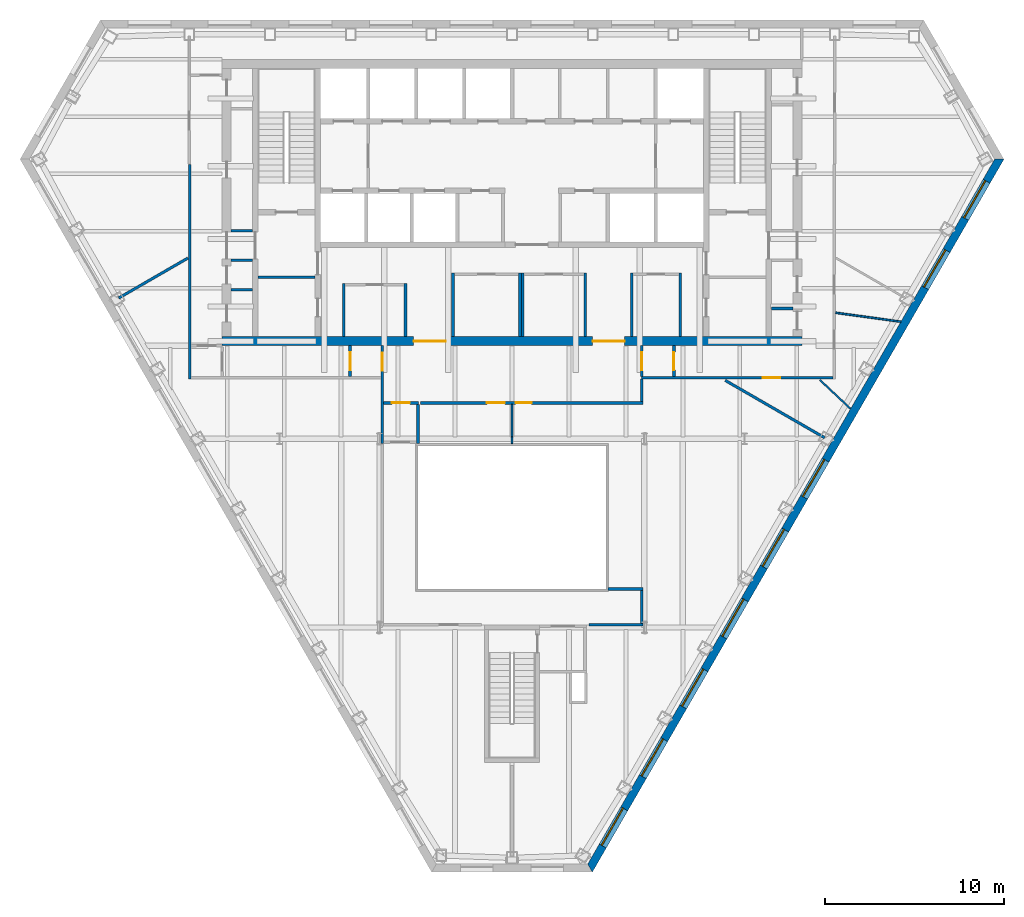
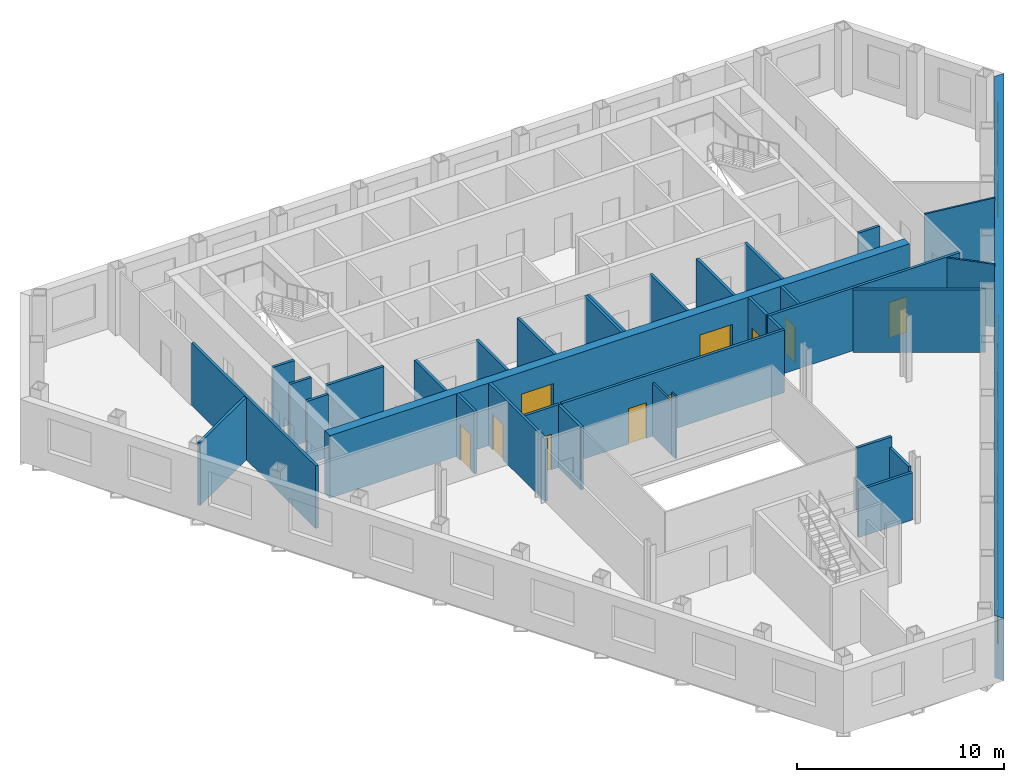
# One storey, part 5 of 11: 34 walls, 10 doors, 8 windows, 18 openings.
"""IFC4 building model written with IfcOpenShell, lengths in metres."""

import ifcopenshell
import ifcopenshell.guid

model = None  # the IFC model being written
_history = None  # IfcOwnerHistory: only IFC2X3 demands one
_inside = {}  # id of a spatial element -> (the spatial element, [elements in it])
_under = {}  # id of a project, library or spatial element -> (it, [spatial elements below it])
_declared = {}  # id of a project -> (the project, [libraries it declares])
_typed = {}  # id of a type object -> (the type object, [elements of that type])
_made_of = {}  # id of a material, layer set ... -> (it, [elements and type objects made of it])


def new_model(schema):
    """Start an empty IFC model of exactly this schema.

    Asked for "IFC4X3", IfcOpenShell would pick the latest addendum, in which some entities
    have other attributes; the version numbers below select the first issue.
    IFC2X3 requires an IfcOwnerHistory on every rooted entity: one is made here for all.
    """
    global model, _history
    if schema == "IFC4X3":
        model = ifcopenshell.file(schema_version=(4, 3, 0, 0))
    else:
        model = ifcopenshell.file(schema=schema)
    _inside.clear()
    _under.clear()
    _declared.clear()
    _typed.clear()
    _made_of.clear()
    _history = None
    if model.schema == "IFC2X3":
        org = make("IfcOrganization", Name="unknown")
        user = make(
            "IfcPersonAndOrganization",
            ThePerson=make("IfcPerson", FamilyName="unknown"),
            TheOrganization=org,
        )
        app = make(
            "IfcApplication",
            ApplicationDeveloper=org,
            Version="unknown",
            ApplicationFullName="unknown",
            ApplicationIdentifier="unknown",
        )
        _history = make(
            "IfcOwnerHistory",
            OwningUser=user,
            OwningApplication=app,
            ChangeAction="ADDED",
            CreationDate=0,
        )
    return model


def make(cls, **values):
    """One entity of the class cls with the attributes given. An attribute that is None is left unset."""
    return model.create_entity(
        cls, **{name: value for name, value in values.items() if value is not None}
    )


def rooted(cls, **values):
    """An entity with a GlobalId (a new one), such as an element, a storey or a relation."""
    return make(cls, GlobalId=ifcopenshell.guid.new(), OwnerHistory=_history, **values)


def si_unit(unit_type, name, prefix=None):
    """IfcSIUnit, for example si_unit("LENGTHUNIT", "METRE", prefix="MILLI")."""
    return make("IfcSIUnit", UnitType=unit_type, Prefix=prefix, Name=name)


def assignment(units):
    """IfcUnitAssignment: the units of a project."""
    return None if units is None else make("IfcUnitAssignment", Units=units)


def point(xyz):
    """IfcCartesianPoint."""
    return None if xyz is None else make("IfcCartesianPoint", Coordinates=xyz)


def direction(xyz):
    """IfcDirection."""
    return None if xyz is None else make("IfcDirection", DirectionRatios=xyz)


def frame(location, z_axis=None, x_axis=None):
    """IfcAxis2Placement3D, a coordinate frame: its origin and axes. An axis left out is left unset."""
    return make(
        "IfcAxis2Placement3D",
        Location=point(location),
        Axis=direction(z_axis),
        RefDirection=direction(x_axis),
    )


def frame_2d(location, x_axis=None):
    """IfcAxis2Placement2D, a coordinate frame in the plane: its origin and x axis."""
    return make(
        "IfcAxis2Placement2D", Location=point(location), RefDirection=direction(x_axis)
    )


def origin():
    """The frame at (0, 0, 0) with its axes left unset."""
    return frame((0.0, 0.0, 0.0))


def place(relative_to, where):
    """IfcLocalPlacement: puts the frame where relative to a parent placement (None: the world)."""
    return make(
        "IfcLocalPlacement", PlacementRelTo=relative_to, RelativePlacement=where
    )


def context(
    kind, dimensions, precision=None, world=None, true_north=None, identifier=None
):
    """IfcGeometricRepresentationContext, for example the 3D "Model" context."""
    return make(
        "IfcGeometricRepresentationContext",
        ContextIdentifier=identifier,
        ContextType=kind,
        CoordinateSpaceDimension=dimensions,
        Precision=precision,
        WorldCoordinateSystem=world,
        TrueNorth=true_north,
    )


def subcontext(parent, identifier, kind, view, scale=None):
    """IfcGeometricRepresentationSubContext, for example "Body" below "Model"."""
    return make(
        "IfcGeometricRepresentationSubContext",
        ContextIdentifier=identifier,
        ContextType=kind,
        ParentContext=parent,
        TargetScale=scale,
        TargetView=view,
    )


def project(units=None, contexts=None):
    """IfcProject with its units and contexts."""
    return rooted(
        "IfcProject",
        Name="project",
        RepresentationContexts=contexts,
        UnitsInContext=assignment(units),
    )


def spatial(cls, under=None, at=None, **own):
    """A site, building, storey or space (cls), placed at a placement, below another one or the project."""
    s = rooted(cls, ObjectPlacement=at, **own)
    if under is not None:
        _under.setdefault(under.id(), (under, []))[1].append(s)
    return s


def polyline(points):
    """IfcPolyline through the points."""
    return make("IfcPolyline", Points=[point(p) for p in points])


def profile(cls, at=None, kind="AREA", **sizes):
    """A parametric profile (cls). Its sizes go by their IFC names, for example OverallWidth=200.0."""
    return make(cls, ProfileType=kind, Position=at, **sizes)


def rectangle(**sizes):
    """IfcRectangleProfileDef."""
    return profile("IfcRectangleProfileDef", **sizes)


def outline(outer, holes=None, kind="AREA"):
    """IfcArbitraryClosedProfileDef: a profile drawn as a closed curve; with holes, ...WithVoids."""
    if holes is None:
        return make("IfcArbitraryClosedProfileDef", ProfileType=kind, OuterCurve=outer)
    return make(
        "IfcArbitraryProfileDefWithVoids",
        ProfileType=kind,
        OuterCurve=outer,
        InnerCurves=holes,
    )


def extrude(swept, where, along, depth):
    """IfcExtrudedAreaSolid: the profile swept, set in the frame where, extruded along a direction by depth."""
    return make(
        "IfcExtrudedAreaSolid",
        SweptArea=swept,
        Position=where,
        ExtrudedDirection=direction(along),
        Depth=depth,
    )


def shape(context_of_items, identifier, shape_type, items):
    """IfcShapeRepresentation: the items that make up one representation, for example the "Body"."""
    return make(
        "IfcShapeRepresentation",
        ContextOfItems=context_of_items,
        RepresentationIdentifier=identifier,
        RepresentationType=shape_type,
        Items=items,
    )


def material(Name=None, Category=None):
    """IfcMaterial."""
    return make("IfcMaterial", Name=Name, Category=Category)


def layer(
    of_material, thickness, ventilated=None, Name=None, Category=None, Priority=None
):
    """IfcMaterialLayer: one layer of a wall or slab, of a material (None: an air gap)."""
    return make(
        "IfcMaterialLayer",
        Material=of_material,
        LayerThickness=thickness,
        IsVentilated=ventilated,
        Name=Name,
        Category=Category,
        Priority=Priority,
    )


def layer_set(layers, Name=None):
    """IfcMaterialLayerSet."""
    return make("IfcMaterialLayerSet", MaterialLayers=layers, LayerSetName=Name)


def made_of(thing, what):
    """Note that an element or type object is made of a material, layer set ...; save() writes the relation."""
    if what is not None:
        _made_of.setdefault(what.id(), (what, []))[1].append(thing)
    return thing


def type_object(cls, material=None, **own):
    """A type object (cls), such as IfcWallType, which elements share."""
    return made_of(rooted(cls, **own), material)


def element(
    cls,
    number,
    at=None,
    inside=None,
    cuts=None,
    type_object=None,
    material=None,
    context=None,
    identifier="Body",
    shape_type=None,
    held_by="IfcProductDefinitionShape",
    body=None,
    shapes=None,
    **own,
):
    """One element of the class cls, such as IfcWall. Its Tag is "e" and its number.

    at: its placement. inside: the storey or other place that contains it. cuts: it is an
    opening in that element (IfcRelVoidsElement). A single representation is given by context,
    identifier, shape_type and body (its items); several are given by shapes. held_by: the class
    of the entity that holds the representations. save() writes the other relations.
    """
    e = rooted(cls, Tag="e%d" % number, ObjectPlacement=at, **own)
    if body is not None:
        shapes = [shape(context, identifier, shape_type, body)]
    if shapes is not None:
        e.Representation = make(held_by, Representations=shapes)
    if inside is not None:
        _inside.setdefault(inside.id(), (inside, []))[1].append(e)
    if cuts is not None:
        rooted(
            "IfcRelVoidsElement", RelatingBuildingElement=cuts, RelatedOpeningElement=e
        )
    if type_object is not None:
        _typed.setdefault(type_object.id(), (type_object, []))[1].append(e)
    return made_of(e, material)


def fill(opening, filler):
    """IfcRelFillsElement: the door or window that sits in an opening."""
    return rooted(
        "IfcRelFillsElement",
        RelatingOpeningElement=opening,
        RelatedBuildingElement=filler,
    )


def aggregate(whole, parts):
    """IfcRelAggregates: a whole, such as a stair, and the parts it consists of."""
    return rooted("IfcRelAggregates", RelatingObject=whole, RelatedObjects=parts)


def save(model, path):
    """Write the relations noted so far, then the file.

    IfcRelAggregates (storeys below a building ...), IfcRelContainedInSpatialStructure (elements
    in a storey), IfcRelDefinesByType, IfcRelAssociatesMaterial and IfcRelDeclares: one each for
    every whole, place, type object, material and project.
    """
    for whole, parts in _under.values():
        aggregate(whole, parts)
    for where, things in _inside.values():
        rooted(
            "IfcRelContainedInSpatialStructure",
            RelatedElements=things,
            RelatingStructure=where,
        )
    for kind, things in _typed.values():
        rooted("IfcRelDefinesByType", RelatedObjects=things, RelatingType=kind)
    for what, things in _made_of.values():
        rooted("IfcRelAssociatesMaterial", RelatedObjects=things, RelatingMaterial=what)
    for by, libraries in _declared.values():
        rooted("IfcRelDeclares", RelatingContext=by, RelatedDefinitions=libraries)
    model.write(path)


model = new_model("IFC4")

# Units and contexts
model_context = context("Model", 3, precision=1e-05, world=origin(), true_north=direction((0.0, 1.0)))
body_context = subcontext(model_context, "Body", "Model", "MODEL_VIEW")
ifc_project = project(units=[si_unit("LENGTHUNIT", "METRE"), si_unit("AREAUNIT", "SQUARE_METRE"), si_unit("VOLUMEUNIT", "CUBIC_METRE"), si_unit("PLANEANGLEUNIT", "RADIAN"), si_unit("MASSUNIT", "GRAM", prefix="KILO")], contexts=[model_context])

# Site, building, storey
site_placement = place(None, origin())
site = spatial("IfcSite", under=ifc_project, at=site_placement, CompositionType="ELEMENT")
building_placement = place(site_placement, origin())
building = spatial("IfcBuilding", under=site, at=building_placement, Name="Njiva Tower", CompositionType="ELEMENT")
storey_placement = place(building_placement, frame((0.0, 0.0, 139.8)))
storey = spatial("IfcBuildingStorey", under=building, at=storey_placement, Name="L29", CompositionType="ELEMENT", Elevation=139.8)

# Walls
ifc_material_1 = material(Name="Blockwork", Category="masonry")
ifc_layer_1 = layer(ifc_material_1, 0.15)
ifc_layer_set_1 = layer_set([ifc_layer_1], Name="Blockwork")
wall_type_1 = type_object("IfcWallType", Name="WT1 Compartment partition 150", PredefinedType="PARTITIONING", material=ifc_layer_set_1)
wall_1_placement = place(storey_placement, frame((-14.2, 5.825, 0.0), z_axis=(0.0, 0.0, 1.0), x_axis=(1.0, 0.0, 0.0)))
element("IfcWall", 1, at=wall_1_placement, inside=storey, type_object=wall_type_1, Name="Room wall A", PredefinedType="PARTITIONING", context=body_context, shape_type="SweptSolid", body=[
    extrude(rectangle(XDim=3.2, YDim=0.15, at=frame_2d((1.6, 0.0))), origin(), (0.0, 0.0, 1.0), 3.7),
])
for number, where, z_axis, x_axis, name in (
    (2, (-15.7, 5.125, 0.0), (0.0, 0.0, 1.0), (1.0, 0.0, 0.0), "Partition strip W00"),
    (3, (14.5, 4.075, 0.0), (0.0, 0.0, 1.0), (1.0, 0.0, 0.0), "Partition strip E00"),
):
    element("IfcWall", number, at=place(storey_placement, frame(where, z_axis=z_axis, x_axis=x_axis)), inside=storey, type_object=wall_type_1, Name=name, PredefinedType="PARTITIONING", context=body_context, shape_type="SweptSolid", body=[
        extrude(rectangle(XDim=1.2, YDim=0.15, at=frame_2d((0.6, 0.0))), origin(), (0.0, 0.0, 1.0), 3.7),
    ])
for number, where, z_axis, x_axis, name in (
    (4, (-9.4, 2.5, 0.0), (0.0, 0.0, 1.0), (0.0, 1.0, 0.0), "Security office wall west"),
    (5, (-5.95, 2.5, 0.0), (0.0, 0.0, 1.0), (0.0, 1.0, 0.0), "Security office wall east"),
):
    element("IfcWall", number, at=place(storey_placement, frame(where, z_axis=z_axis, x_axis=x_axis)), inside=storey, type_object=wall_type_1, Name=name, PredefinedType="PARTITIONING", context=body_context, shape_type="SweptSolid", body=[
        extrude(rectangle(XDim=2.975, YDim=0.15, at=frame_2d((1.4875, 0.0))), origin(), (0.0, 0.0, 1.0), 3.7),
    ])
for number, where, z_axis, x_axis, name in (
    (6, (-3.3, 2.5, 0.0), (0.0, 0.0, 1.0), (0.0, 1.0, 0.0), "Concierge office wall west"),
    (7, (0.45, 2.5, 0.0), (0.0, 0.0, 1.0), (0.0, 1.0, 0.0), "Concierge office wall east"),
    (8, (0.6, 2.5, 0.0), (0.0, 0.0, 1.0), (0.0, 1.0, 0.0), "Post room wall west"),
    (9, (4.1, 2.5, 0.0), (0.0, 0.0, 1.0), (0.0, 1.0, 0.0), "Post room wall east"),
    (10, (6.7, 2.5, 0.0), (0.0, 0.0, 1.0), (0.0, 1.0, 0.0), "Information office wall west"),
    (11, (9.4, 2.5, 0.0), (0.0, 0.0, 1.0), (0.0, 1.0, 0.0), "Information office wall east"),
):
    element("IfcWall", number, at=place(storey_placement, frame(where, z_axis=z_axis, x_axis=x_axis)), inside=storey, type_object=wall_type_1, Name=name, PredefinedType="PARTITIONING", context=body_context, shape_type="SweptSolid", body=[
        extrude(rectangle(XDim=3.575, YDim=0.15, at=frame_2d((1.7875, 0.0))), origin(), (0.0, 0.0, 1.0), 3.7),
    ])

# Wall, openings, doors
ifc_material_2 = material(Name="Concrete C60/75", Category="concrete")
ifc_layer_2 = layer(ifc_material_2, 0.5)
ifc_layer_set_2 = layer_set([ifc_layer_2], Name="Concrete C60/75")
wall_type_2 = type_object("IfcWallType", Name="WT13 Core wall 500", PredefinedType="SHEAR", material=ifc_layer_set_2)
wall_2_placement = place(storey_placement, frame((-16.2, 2.25, 0.0), z_axis=(0.0, 0.0, 1.0), x_axis=(1.0, 0.0, 0.0)))
wall_2 = element("IfcWall", 12, at=wall_2_placement, inside=storey, type_object=wall_type_2, Name="Core wall south", PredefinedType="SHEAR", context=body_context, shape_type="SweptSolid", body=[
    extrude(rectangle(XDim=32.4, YDim=0.5, at=frame_2d((16.2, 0.0))), origin(), (0.0, 0.0, 1.0), 3.7),
])
opening_1_placement = place(wall_2_placement, frame((10.7, 0.0, 0.0)))
opening_1 = element("IfcOpeningElement", 13, at=opening_1_placement, cuts=wall_2, Name="Opening S10-D939", PredefinedType="OPENING", context=body_context, shape_type="SweptSolid", body=[
    extrude(rectangle(XDim=1.8, YDim=2.4, at=frame_2d((0.9, 1.2))), frame((0.0, 0.26, 0.0), z_axis=(0.0, -1.0, 0.0), x_axis=(1.0, 0.0, 0.0)), (0.0, 0.0, 1.0), 0.52),
])
opening_2_placement = place(wall_2_placement, frame((20.7, 0.0, 0.0)))
opening_2 = element("IfcOpeningElement", 14, at=opening_2_placement, cuts=wall_2, Name="Opening S10-D940", PredefinedType="OPENING", context=body_context, shape_type="SweptSolid", body=[
    extrude(rectangle(XDim=1.8, YDim=2.4, at=frame_2d((0.9, 1.2))), frame((0.0, 0.26, 0.0), z_axis=(0.0, -1.0, 0.0), x_axis=(1.0, 0.0, 0.0)), (0.0, 0.0, 1.0), 0.52),
])
ifc_material_3 = material(Name="Steel and glass door", Category="steel")
door_type_1 = type_object("IfcDoorType", Name="D3 Core entrance door 1800x2400", OperationType="DOUBLE_DOOR_SINGLE_SWING", PredefinedType="DOOR", material=ifc_material_3)
door_1_placement = place(opening_1_placement, origin())
door_1 = element("IfcDoor", 15, at=door_1_placement, inside=storey, type_object=door_type_1, Name="Core entrance door", OperationType="DOUBLE_DOOR_SINGLE_SWING", OverallHeight=2.4, OverallWidth=1.8, PredefinedType="DOOR", context=body_context, shape_type="SweptSolid", body=[
    extrude(rectangle(XDim=1.8, YDim=2.4, at=frame_2d((0.9, 1.2))), frame((0.0, 0.025, 0.0), z_axis=(0.0, -1.0, 0.0), x_axis=(1.0, 0.0, 0.0)), (0.0, 0.0, 1.0), 0.05),
])
fill(opening_1, door_1)
door_2_placement = place(opening_2_placement, origin())
door_2 = element("IfcDoor", 16, at=door_2_placement, inside=storey, type_object=door_type_1, Name="Core entrance door", OperationType="DOUBLE_DOOR_SINGLE_SWING", OverallHeight=2.4, OverallWidth=1.8, PredefinedType="DOOR", context=body_context, shape_type="SweptSolid", body=[
    extrude(rectangle(XDim=1.8, YDim=2.4, at=frame_2d((0.9, 1.2))), frame((0.0, 0.025, 0.0), z_axis=(0.0, -1.0, 0.0), x_axis=(1.0, 0.0, 0.0)), (0.0, 0.0, 1.0), 0.05),
])
fill(opening_2, door_2)

# Walls
ifc_material_4 = material(Name="Gypsum board on steel studs", Category="gypsum")
ifc_layer_3 = layer(ifc_material_4, 0.1)
ifc_layer_set_3 = layer_set([ifc_layer_3], Name="Gypsum board on steel studs")
wall_type_3 = type_object("IfcWallType", Name="WT20 Gypsum partition 100", PredefinedType="PARTITIONING", material=ifc_layer_set_3)
wall_3_placement = place(storey_placement, frame((0.0, -3.48, 0.0), z_axis=(0.0, 0.0, 1.0), x_axis=(0.0, 1.0, 0.0)))
element("IfcWall", 17, at=wall_3_placement, inside=storey, type_object=wall_type_3, Name="Partition S10-P017", PredefinedType="PARTITIONING", context=body_context, shape_type="SweptSolid", body=[
    extrude(rectangle(XDim=0.381, YDim=0.1, at=frame_2d((0.1905, 0.0))), origin(), (0.0, 0.0, 1.0), 3.7),
])
wall_4_placement = place(storey_placement, frame((0.0, -3.099, 0.0), z_axis=(0.0, 0.0, 1.0), x_axis=(0.0, 1.0, 0.0)))
element("IfcWall", 18, at=wall_4_placement, inside=storey, type_object=wall_type_3, Name="Partition S10-P017A", PredefinedType="PARTITIONING", context=body_context, shape_type="SweptSolid", body=[
    extrude(rectangle(XDim=1.824, YDim=0.1, at=frame_2d((0.912, 0.0))), origin(), (0.0, 0.0, 1.0), 3.15),
])
wall_5_placement = place(storey_placement, frame((17.2, 0.089, 0.0), z_axis=(0.0, 0.0, 1.0), x_axis=(0.728995381281, -0.684518614846, 0.0)))
element("IfcWall", 19, at=wall_5_placement, inside=storey, type_object=wall_type_3, Name="Partition S10-P027", PredefinedType="PARTITIONING", context=body_context, shape_type="SweptSolid", body=[
    extrude(rectangle(XDim=2.3608, YDim=0.1, at=frame_2d((1.1804, 0.0))), origin(), (0.0, 0.0, 1.0), 3.7),
])
wall_6_placement = place(storey_placement, frame((18.082, 3.84, 0.0), z_axis=(0.0, 0.0, 1.0), x_axis=(0.990695786663, -0.136095034033, 0.0)))
element("IfcWall", 20, at=wall_6_placement, inside=storey, type_object=wall_type_3, Name="Partition S10-P030", PredefinedType="PARTITIONING", context=body_context, shape_type="SweptSolid", body=[
    extrude(rectangle(XDim=3.6813, YDim=0.1, at=frame_2d((1.8406, 0.0))), origin(), (0.0, 0.0, 1.0), 3.7),
])
ifc_layer_4 = layer(ifc_material_4, 0.15)
ifc_layer_set_4 = layer_set([ifc_layer_4], Name="Gypsum board on steel studs")
wall_type_4 = type_object("IfcWallType", Name="WT21 Compartment wall 150", PredefinedType="PARTITIONING", material=ifc_layer_set_4)
wall_7_placement = place(storey_placement, frame((-21.976, 4.664, 0.0), z_axis=(0.0, 0.0, 1.0), x_axis=(0.865957845807, 0.500116995598, 0.0)))
element("IfcWall", 21, at=wall_7_placement, inside=storey, type_object=wall_type_4, Name="Partition S10-P001", PredefinedType="PARTITIONING", context=body_context, shape_type="SweptSolid", body=[
    extrude(rectangle(XDim=4.461, YDim=0.15, at=frame_2d((2.2305, 0.0))), origin(), (0.0, 0.0, 1.0), 3.7),
])
wall_8_placement = place(storey_placement, frame((-18.0, 0.125, 0.0), z_axis=(0.0, 0.0, 1.0), x_axis=(0.0, 1.0, 0.0)))
element("IfcWall", 22, at=wall_8_placement, inside=storey, type_object=wall_type_4, Name="Partition S10-P004", PredefinedType="PARTITIONING", context=body_context, shape_type="SweptSolid", body=[
    extrude(rectangle(XDim=11.999, YDim=0.15, at=frame_2d((5.9995, 0.0))), origin(), (0.0, 0.0, 1.0), 3.7),
])

# Wall, opening, door
wall_9_placement = place(storey_placement, frame((-9.05, 0.275, 0.0), z_axis=(0.0, 0.0, 1.0), x_axis=(0.0, 1.0, 0.0)))
wall_9 = element("IfcWall", 23, at=wall_9_placement, inside=storey, type_object=wall_type_4, Name="Partition S10-P009", PredefinedType="PARTITIONING", context=body_context, shape_type="SweptSolid", body=[
    extrude(rectangle(XDim=1.725, YDim=0.15, at=frame_2d((0.8625, 0.0))), origin(), (0.0, 0.0, 1.0), 3.7),
])
opening_3_placement = place(wall_9_placement, frame((0.363, 0.0, 0.0)))
opening_3 = element("IfcOpeningElement", 24, at=opening_3_placement, cuts=wall_9, Name="Opening S10-D005", PredefinedType="OPENING", context=body_context, shape_type="SweptSolid", body=[
    extrude(rectangle(XDim=1.0, YDim=2.1, at=frame_2d((0.5, 1.05))), frame((0.0, 0.085, 0.0), z_axis=(0.0, -1.0, 0.0), x_axis=(1.0, 0.0, 0.0)), (0.0, 0.0, 1.0), 0.17),
])
ifc_material_5 = material(Name="Steel fire door set", Category="steel")
door_type_2 = type_object("IfcDoorType", Name="D37 Fire door 1000x2100", OperationType="SINGLE_SWING_LEFT", PredefinedType="DOOR", material=ifc_material_5)
door_3_placement = place(opening_3_placement, origin())
door_3 = element("IfcDoor", 25, at=door_3_placement, inside=storey, type_object=door_type_2, Name="Door S10-D005", OperationType="SINGLE_SWING_LEFT", OverallHeight=2.1, OverallWidth=1.0, PredefinedType="DOOR", context=body_context, shape_type="SweptSolid", body=[
    extrude(rectangle(XDim=1.0, YDim=2.1, at=frame_2d((0.5, 1.05))), frame((0.0, 0.025, 0.0), z_axis=(0.0, -1.0, 0.0), x_axis=(1.0, 0.0, 0.0)), (0.0, 0.0, 1.0), 0.05),
])
fill(opening_3, door_3)

wall_10_placement = place(storey_placement, frame((-7.25, -3.46, 0.0), z_axis=(0.0, 0.0, 1.0), x_axis=(0.0, 1.0, 0.0)))
wall_10 = element("IfcWall", 26, at=wall_10_placement, inside=storey, type_object=wall_type_4, Name="Partition S10-P010A", PredefinedType="PARTITIONING", context=body_context, shape_type="SweptSolid", body=[
    extrude(rectangle(XDim=5.46, YDim=0.15, at=frame_2d((2.73, 0.0))), origin(), (0.0, 0.0, 1.0), 3.7),
])
opening_4_placement = place(wall_10_placement, frame((4.06, 0.0, 0.0)))
opening_4 = element("IfcOpeningElement", 27, at=opening_4_placement, cuts=wall_10, Name="Opening S10-D006", PredefinedType="OPENING", context=body_context, shape_type="SweptSolid", body=[
    extrude(rectangle(XDim=1.0, YDim=2.1, at=frame_2d((0.5, 1.05))), frame((0.0, 0.085, 0.0), z_axis=(0.0, -1.0, 0.0), x_axis=(1.0, 0.0, 0.0)), (0.0, 0.0, 1.0), 0.17),
])
door_4_placement = place(opening_4_placement, origin())
door_4 = element("IfcDoor", 28, at=door_4_placement, inside=storey, type_object=door_type_2, Name="Door S10-D006", OperationType="SINGLE_SWING_LEFT", OverallHeight=2.1, OverallWidth=1.0, PredefinedType="DOOR", context=body_context, shape_type="SweptSolid", body=[
    extrude(rectangle(XDim=1.0, YDim=2.1, at=frame_2d((0.5, 1.05))), frame((0.0, 0.025, 0.0), z_axis=(0.0, -1.0, 0.0), x_axis=(1.0, 0.0, 0.0)), (0.0, 0.0, 1.0), 0.05),
])
fill(opening_4, door_4)

wall_11_placement = place(storey_placement, frame((-7.175, -1.2, 0.0), z_axis=(0.0, 0.0, 1.0), x_axis=(1.0, 0.0, 0.0)))
wall_11 = element("IfcWall", 29, at=wall_11_placement, inside=storey, type_object=wall_type_4, Name="Partition S10-P013", PredefinedType="PARTITIONING", context=body_context, shape_type="SweptSolid", body=[
    extrude(rectangle(XDim=1.937, YDim=0.15, at=frame_2d((0.9685, 0.0))), origin(), (0.0, 0.0, 1.0), 3.7),
])
opening_5_placement = place(wall_11_placement, frame((0.462, 0.0, 0.0)))
opening_5 = element("IfcOpeningElement", 30, at=opening_5_placement, cuts=wall_11, Name="Opening S10-D009", PredefinedType="OPENING", context=body_context, shape_type="SweptSolid", body=[
    extrude(rectangle(XDim=1.0, YDim=2.1, at=frame_2d((0.5, 1.05))), frame((0.0, 0.085, 0.0), z_axis=(0.0, -1.0, 0.0), x_axis=(1.0, 0.0, 0.0)), (0.0, 0.0, 1.0), 0.17),
])
door_5_placement = place(opening_5_placement, origin())
door_5 = element("IfcDoor", 31, at=door_5_placement, inside=storey, type_object=door_type_2, Name="Door S10-D009", OperationType="SINGLE_SWING_RIGHT", OverallHeight=2.1, OverallWidth=1.0, PredefinedType="DOOR", context=body_context, shape_type="SweptSolid", body=[
    extrude(rectangle(XDim=1.0, YDim=2.1, at=frame_2d((0.5, 1.05))), frame((0.0, 0.025, 0.0), z_axis=(0.0, -1.0, 0.0), x_axis=(1.0, 0.0, 0.0)), (0.0, 0.0, 1.0), 0.05),
])
fill(opening_5, door_5)

# Wall
wall_12_placement = place(storey_placement, frame((-5.25, -3.48, 0.0), z_axis=(0.0, 0.0, 1.0), x_axis=(0.0, 1.0, 0.0)))
element("IfcWall", 32, at=wall_12_placement, inside=storey, type_object=wall_type_4, Name="Partition S10-P014", PredefinedType="PARTITIONING", context=body_context, shape_type="SweptSolid", body=[
    extrude(rectangle(XDim=2.195, YDim=0.15, at=frame_2d((1.0975, 0.0))), origin(), (0.0, 0.0, 1.0), 3.7),
])

# Wall, openings, doors
wall_13_placement = place(storey_placement, frame((-5.104, -1.2, 0.0), z_axis=(0.0, 0.0, 1.0), x_axis=(1.0, 0.0, 0.0)))
wall_13 = element("IfcWall", 33, at=wall_13_placement, inside=storey, type_object=wall_type_4, Name="Partition S10-P015", PredefinedType="PARTITIONING", context=body_context, shape_type="SweptSolid", body=[
    extrude(rectangle(XDim=12.429, YDim=0.15, at=frame_2d((6.2145, 0.0))), origin(), (0.0, 0.0, 1.0), 3.7),
])
opening_6_placement = place(wall_13_placement, frame((3.699, 0.0, 0.0)))
opening_6 = element("IfcOpeningElement", 34, at=opening_6_placement, cuts=wall_13, Name="Opening S10-D010", PredefinedType="OPENING", context=body_context, shape_type="SweptSolid", body=[
    extrude(rectangle(XDim=1.0, YDim=2.1, at=frame_2d((0.5, 1.05))), frame((0.0, 0.085, 0.0), z_axis=(0.0, -1.0, 0.0), x_axis=(1.0, 0.0, 0.0)), (0.0, 0.0, 1.0), 0.17),
])
opening_7_placement = place(wall_13_placement, frame((5.306, 0.0, 0.0)))
opening_7 = element("IfcOpeningElement", 35, at=opening_7_placement, cuts=wall_13, Name="Opening S10-D011", PredefinedType="OPENING", context=body_context, shape_type="SweptSolid", body=[
    extrude(rectangle(XDim=0.9, YDim=2.1, at=frame_2d((0.45, 1.05))), frame((0.0, 0.085, 0.0), z_axis=(0.0, -1.0, 0.0), x_axis=(1.0, 0.0, 0.0)), (0.0, 0.0, 1.0), 0.17),
])
door_type_3 = type_object("IfcDoorType", Name="D36 Fire door 900x2100", OperationType="SINGLE_SWING_LEFT", PredefinedType="DOOR", material=ifc_material_5)
door_6_placement = place(opening_7_placement, origin())
door_6 = element("IfcDoor", 36, at=door_6_placement, inside=storey, type_object=door_type_3, Name="Door S10-D011", OperationType="SINGLE_SWING_LEFT", OverallHeight=2.1, OverallWidth=0.9, PredefinedType="DOOR", context=body_context, shape_type="SweptSolid", body=[
    extrude(rectangle(XDim=0.9, YDim=2.1, at=frame_2d((0.45, 1.05))), frame((0.0, 0.025, 0.0), z_axis=(0.0, -1.0, 0.0), x_axis=(1.0, 0.0, 0.0)), (0.0, 0.0, 1.0), 0.05),
])
fill(opening_7, door_6)
door_7_placement = place(opening_6_placement, origin())
door_7 = element("IfcDoor", 37, at=door_7_placement, inside=storey, type_object=door_type_2, Name="Door S10-D010", OperationType="SINGLE_SWING_LEFT", OverallHeight=2.1, OverallWidth=1.0, PredefinedType="DOOR", context=body_context, shape_type="SweptSolid", body=[
    extrude(rectangle(XDim=1.0, YDim=2.1, at=frame_2d((0.5, 1.05))), frame((0.0, 0.025, 0.0), z_axis=(0.0, -1.0, 0.0), x_axis=(1.0, 0.0, 0.0)), (0.0, 0.0, 1.0), 0.05),
])
fill(opening_6, door_7)

# Walls
wall_14_placement = place(storey_placement, frame((4.3, -13.6, 0.0), z_axis=(0.0, 0.0, 1.0), x_axis=(1.0, 0.0, 0.0)))
element("IfcWall", 38, at=wall_14_placement, inside=storey, type_object=wall_type_4, Name="Partition S10-P018", PredefinedType="PARTITIONING", context=body_context, shape_type="SweptSolid", body=[
    extrude(rectangle(XDim=3.025, YDim=0.15, at=frame_2d((1.5125, 0.0))), origin(), (0.0, 0.0, 1.0), 2.79),
])
wall_15_placement = place(storey_placement, frame((5.37, -11.6, 0.0), z_axis=(0.0, 0.0, 1.0), x_axis=(1.0, 0.0, 0.0)))
element("IfcWall", 39, at=wall_15_placement, inside=storey, type_object=wall_type_4, Name="Partition S10-P019", PredefinedType="PARTITIONING", context=body_context, shape_type="SweptSolid", body=[
    extrude(rectangle(XDim=1.955, YDim=0.15, at=frame_2d((0.9775, 0.0))), origin(), (0.0, 0.0, 1.0), 3.7),
])
wall_16_placement = place(storey_placement, frame((7.25, -13.525, 0.0), z_axis=(0.0, 0.0, 1.0), x_axis=(0.0, 1.0, 0.0)))
element("IfcWall", 40, at=wall_16_placement, inside=storey, type_object=wall_type_4, Name="Partition S10-P020", PredefinedType="PARTITIONING", context=body_context, shape_type="SweptSolid", body=[
    extrude(rectangle(XDim=1.85, YDim=0.15, at=frame_2d((0.925, 0.0))), origin(), (0.0, 0.0, 1.0), 3.11),
])
wall_17_placement = place(storey_placement, frame((7.25, -1.125, 0.0), z_axis=(0.0, 0.0, 1.0), x_axis=(0.0, 1.0, 0.0)))
element("IfcWall", 41, at=wall_17_placement, inside=storey, type_object=wall_type_4, Name="Partition S10-P021", PredefinedType="PARTITIONING", context=body_context, shape_type="SweptSolid", body=[
    extrude(rectangle(XDim=1.25, YDim=0.15, at=frame_2d((0.625, 0.0))), origin(), (0.0, 0.0, 1.0), 3.7),
])

# Wall, opening, door
wall_18_placement = place(storey_placement, frame((7.25, 0.2, 0.0), z_axis=(0.0, 0.0, 1.0), x_axis=(1.0, 0.0, 0.0)))
wall_18 = element("IfcWall", 42, at=wall_18_placement, inside=storey, type_object=wall_type_4, Name="Partition S10-P022", PredefinedType="PARTITIONING", context=body_context, shape_type="SweptSolid", body=[
    extrude(rectangle(XDim=10.675, YDim=0.15, at=frame_2d((5.3375, 0.0))), origin(), (0.0, 0.0, 1.0), 3.7),
])
opening_8_placement = place(wall_18_placement, frame((6.75, 0.0, 0.0)))
opening_8 = element("IfcOpeningElement", 43, at=opening_8_placement, cuts=wall_18, Name="Opening S10-D012", PredefinedType="OPENING", context=body_context, shape_type="SweptSolid", body=[
    extrude(rectangle(XDim=1.0, YDim=2.1, at=frame_2d((0.5, 1.05))), frame((0.0, 0.085, 0.0), z_axis=(0.0, -1.0, 0.0), x_axis=(1.0, 0.0, 0.0)), (0.0, 0.0, 1.0), 0.17),
])
door_8_placement = place(opening_8_placement, origin())
door_8 = element("IfcDoor", 44, at=door_8_placement, inside=storey, type_object=door_type_2, Name="Door S10-D012", OperationType="SINGLE_SWING_RIGHT", OverallHeight=2.1, OverallWidth=1.0, PredefinedType="DOOR", context=body_context, shape_type="SweptSolid", body=[
    extrude(rectangle(XDim=1.0, YDim=2.1, at=frame_2d((0.5, 1.05))), frame((0.0, 0.025, 0.0), z_axis=(0.0, -1.0, 0.0), x_axis=(1.0, 0.0, 0.0)), (0.0, 0.0, 1.0), 0.05),
])
fill(opening_8, door_8)

wall_19_placement = place(storey_placement, frame((7.25, 0.275, 0.0), z_axis=(0.0, 0.0, 1.0), x_axis=(0.0, 1.0, 0.0)))
wall_19 = element("IfcWall", 45, at=wall_19_placement, inside=storey, type_object=wall_type_4, Name="Partition S10-P023", PredefinedType="PARTITIONING", context=body_context, shape_type="SweptSolid", body=[
    extrude(rectangle(XDim=1.725, YDim=0.15, at=frame_2d((0.8625, 0.0))), origin(), (0.0, 0.0, 1.0), 3.7),
])
opening_9_placement = place(wall_19_placement, frame((0.362, 0.0, 0.0)))
opening_9 = element("IfcOpeningElement", 46, at=opening_9_placement, cuts=wall_19, Name="Opening S10-D013", PredefinedType="OPENING", context=body_context, shape_type="SweptSolid", body=[
    extrude(rectangle(XDim=1.0, YDim=2.1, at=frame_2d((0.5, 1.05))), frame((0.0, 0.085, 0.0), z_axis=(0.0, -1.0, 0.0), x_axis=(1.0, 0.0, 0.0)), (0.0, 0.0, 1.0), 0.17),
])
door_9_placement = place(opening_9_placement, origin())
door_9 = element("IfcDoor", 47, at=door_9_placement, inside=storey, type_object=door_type_2, Name="Door S10-D013", OperationType="SINGLE_SWING_LEFT", OverallHeight=2.1, OverallWidth=1.0, PredefinedType="DOOR", context=body_context, shape_type="SweptSolid", body=[
    extrude(rectangle(XDim=1.0, YDim=2.1, at=frame_2d((0.5, 1.05))), frame((0.0, 0.025, 0.0), z_axis=(0.0, -1.0, 0.0), x_axis=(1.0, 0.0, 0.0)), (0.0, 0.0, 1.0), 0.05),
])
fill(opening_9, door_9)

wall_20_placement = place(storey_placement, frame((9.05, 0.275, 0.0), z_axis=(0.0, 0.0, 1.0), x_axis=(0.0, 1.0, 0.0)))
wall_20 = element("IfcWall", 48, at=wall_20_placement, inside=storey, type_object=wall_type_4, Name="Partition S10-P024", PredefinedType="PARTITIONING", context=body_context, shape_type="SweptSolid", body=[
    extrude(rectangle(XDim=1.725, YDim=0.15, at=frame_2d((0.8625, 0.0))), origin(), (0.0, 0.0, 1.0), 3.7),
])
opening_10_placement = place(wall_20_placement, frame((0.363, 0.0, 0.0)))
opening_10 = element("IfcOpeningElement", 49, at=opening_10_placement, cuts=wall_20, Name="Opening S10-D014", PredefinedType="OPENING", context=body_context, shape_type="SweptSolid", body=[
    extrude(rectangle(XDim=1.0, YDim=2.1, at=frame_2d((0.5, 1.05))), frame((0.0, 0.085, 0.0), z_axis=(0.0, -1.0, 0.0), x_axis=(1.0, 0.0, 0.0)), (0.0, 0.0, 1.0), 0.17),
])
door_10_placement = place(opening_10_placement, origin())
door_10 = element("IfcDoor", 50, at=door_10_placement, inside=storey, type_object=door_type_2, Name="Door S10-D014", OperationType="SINGLE_SWING_RIGHT", OverallHeight=2.1, OverallWidth=1.0, PredefinedType="DOOR", context=body_context, shape_type="SweptSolid", body=[
    extrude(rectangle(XDim=1.0, YDim=2.1, at=frame_2d((0.5, 1.05))), frame((0.0, 0.025, 0.0), z_axis=(0.0, -1.0, 0.0), x_axis=(1.0, 0.0, 0.0)), (0.0, 0.0, 1.0), 0.05),
])
fill(opening_10, door_10)

# Walls
wall_21_placement = place(storey_placement, frame((11.916, 0.06, 0.0), z_axis=(0.0, 0.0, 1.0), x_axis=(0.866055709532, -0.499947505232, 0.0)))
element("IfcWall", 51, at=wall_21_placement, inside=storey, type_object=wall_type_4, Name="Partition S10-P025", PredefinedType="PARTITIONING", context=body_context, shape_type="SweptSolid", body=[
    extrude(rectangle(XDim=6.4107, YDim=0.15, at=frame_2d((3.2054, 0.0))), origin(), (0.0, 0.0, 1.0), 3.7),
])
ifc_layer_5 = layer(ifc_material_1, 0.15)
ifc_layer_set_5 = layer_set([ifc_layer_5], Name="Blockwork")
wall_type_5 = type_object("IfcWallType", Name="WT4 Stair partition 150", PredefinedType="PARTITIONING", material=ifc_layer_set_5)
for number, where, z_axis, x_axis, name in (
    (52, (-15.7, 6.775, 0.0), (0.0, 0.0, 1.0), (1.0, 0.0, 0.0), "Stair A exit passage wall south"),
    (53, (-15.7, 8.425, 0.0), (0.0, 0.0, 1.0), (1.0, 0.0, 0.0), "Stair A exit passage wall north"),
):
    element("IfcWall", number, at=place(storey_placement, frame(where, z_axis=z_axis, x_axis=x_axis)), inside=storey, type_object=wall_type_5, Name=name, PredefinedType="PARTITIONING", context=body_context, shape_type="SweptSolid", body=[
        extrude(rectangle(XDim=1.2, YDim=0.15, at=frame_2d((0.6, 0.0))), origin(), (0.0, 0.0, 1.0), 3.7),
    ])

# Wall, openings, windows
ifc_material_6 = material(Name="Brick masonry", Category="masonry")
ifc_layer_6 = layer(ifc_material_6, 0.45)
ifc_layer_set_6 = layer_set([ifc_layer_6], Name="Brick masonry")
wall_type_6 = type_object("IfcWallType", Name="WT90 Brick pier and spandrel wall 450", PredefinedType="SOLIDWALL", material=ifc_layer_set_6)
wall_22_placement = place(storey_placement, frame((4.3601, -27.1977, -0.18), z_axis=(0.0, 0.0, 1.0), x_axis=(0.500000335318, 0.866025210188, 0.0)))
wall_22 = element("IfcWall", 54, at=wall_22_placement, inside=storey, type_object=wall_type_6, Name="Facade wall SE", PredefinedType="SOLIDWALL", context=body_context, shape_type="SweptSolid", body=[
    extrude(outline(polyline([(-0.1299, -0.225), (45.8801, -0.225), (45.6203, 0.225), (0.1299, 0.225), (-0.1299, -0.225)])), origin(), (0.0, 0.0, 1.0), 3.68),
])
opening_11_placement = place(wall_22_placement, frame((1.4247, 0.0, 1.08)))
opening_11 = element("IfcOpeningElement", 55, at=opening_11_placement, cuts=wall_22, Name="Opening S10-W24", PredefinedType="OPENING", context=body_context, shape_type="SweptSolid", body=[
    extrude(rectangle(XDim=2.4, YDim=2.0, at=frame_2d((1.2, 1.0))), frame((0.0, 0.235, 0.0), z_axis=(0.0, -1.0, 0.0), x_axis=(1.0, 0.0, 0.0)), (0.0, 0.0, 1.0), 0.47),
])
opening_12_placement = place(wall_22_placement, frame((5.8949, 0.0, 1.08)))
opening_12 = element("IfcOpeningElement", 56, at=opening_12_placement, cuts=wall_22, Name="Opening S10-W25", PredefinedType="OPENING", context=body_context, shape_type="SweptSolid", body=[
    extrude(rectangle(XDim=2.4, YDim=2.0, at=frame_2d((1.2, 1.0))), frame((0.0, 0.235, 0.0), z_axis=(0.0, -1.0, 0.0), x_axis=(1.0, 0.0, 0.0)), (0.0, 0.0, 1.0), 0.47),
])
opening_13_placement = place(wall_22_placement, frame((10.4035, 0.0, 1.08)))
opening_13 = element("IfcOpeningElement", 57, at=opening_13_placement, cuts=wall_22, Name="Opening S10-W26", PredefinedType="OPENING", context=body_context, shape_type="SweptSolid", body=[
    extrude(rectangle(XDim=2.4, YDim=2.0, at=frame_2d((1.2, 1.0))), frame((0.0, 0.235, 0.0), z_axis=(0.0, -1.0, 0.0), x_axis=(1.0, 0.0, 0.0)), (0.0, 0.0, 1.0), 0.47),
])
opening_14_placement = place(wall_22_placement, frame((14.9122, 0.0, 1.08)))
opening_14 = element("IfcOpeningElement", 58, at=opening_14_placement, cuts=wall_22, Name="Opening S10-W27", PredefinedType="OPENING", context=body_context, shape_type="SweptSolid", body=[
    extrude(rectangle(XDim=2.4, YDim=2.0, at=frame_2d((1.2, 1.0))), frame((0.0, 0.235, 0.0), z_axis=(0.0, -1.0, 0.0), x_axis=(1.0, 0.0, 0.0)), (0.0, 0.0, 1.0), 0.47),
])
opening_15_placement = place(wall_22_placement, frame((19.4208, 0.0, 1.08)))
opening_15 = element("IfcOpeningElement", 59, at=opening_15_placement, cuts=wall_22, Name="Opening S10-W28", PredefinedType="OPENING", context=body_context, shape_type="SweptSolid", body=[
    extrude(rectangle(XDim=2.4, YDim=2.0, at=frame_2d((1.2, 1.0))), frame((0.0, 0.235, 0.0), z_axis=(0.0, -1.0, 0.0), x_axis=(1.0, 0.0, 0.0)), (0.0, 0.0, 1.0), 0.47),
])
opening_16_placement = place(wall_22_placement, frame((23.9294, 0.0, 1.08)))
opening_16 = element("IfcOpeningElement", 60, at=opening_16_placement, cuts=wall_22, Name="Opening S10-W29", PredefinedType="OPENING", context=body_context, shape_type="SweptSolid", body=[
    extrude(rectangle(XDim=2.4, YDim=2.0, at=frame_2d((1.2, 1.0))), frame((0.0, 0.235, 0.0), z_axis=(0.0, -1.0, 0.0), x_axis=(1.0, 0.0, 0.0)), (0.0, 0.0, 1.0), 0.47),
])
opening_17_placement = place(wall_22_placement, frame((37.4553, 0.0, 1.08)))
opening_17 = element("IfcOpeningElement", 61, at=opening_17_placement, cuts=wall_22, Name="Opening S10-W30", PredefinedType="OPENING", context=body_context, shape_type="SweptSolid", body=[
    extrude(rectangle(XDim=2.4, YDim=2.0, at=frame_2d((1.2, 1.0))), frame((0.0, 0.235, 0.0), z_axis=(0.0, -1.0, 0.0), x_axis=(1.0, 0.0, 0.0)), (0.0, 0.0, 1.0), 0.47),
])
opening_18_placement = place(wall_22_placement, frame((41.9255, 0.0, 1.08)))
opening_18 = element("IfcOpeningElement", 62, at=opening_18_placement, cuts=wall_22, Name="Opening S10-W31", PredefinedType="OPENING", context=body_context, shape_type="SweptSolid", body=[
    extrude(rectangle(XDim=2.4, YDim=2.0, at=frame_2d((1.2, 1.0))), frame((0.0, 0.235, 0.0), z_axis=(0.0, -1.0, 0.0), x_axis=(1.0, 0.0, 0.0)), (0.0, 0.0, 1.0), 0.47),
])
ifc_material_7 = material(Name="Clear glazing in aluminium frame", Category="aluminium")
window_type = type_object("IfcWindowType", Name="W90 Deep-set window 2400x2000", PartitioningType="SINGLE_PANEL", PredefinedType="WINDOW", material=ifc_material_7)
window_1_placement = place(opening_11_placement, origin())
window_1 = element("IfcWindow", 63, at=window_1_placement, inside=storey, type_object=window_type, Name="Window", OverallHeight=2.0, OverallWidth=2.4, PartitioningType="SINGLE_PANEL", PredefinedType="WINDOW", context=body_context, shape_type="SweptSolid", body=[
    extrude(rectangle(XDim=2.4, YDim=2.0, at=frame_2d((1.2, 1.0))), frame((0.0, 0.105, 0.0), z_axis=(0.0, -1.0, 0.0), x_axis=(1.0, 0.0, 0.0)), (0.0, 0.0, 1.0), 0.06),
])
fill(opening_11, window_1)
window_2_placement = place(opening_12_placement, origin())
window_2 = element("IfcWindow", 64, at=window_2_placement, inside=storey, type_object=window_type, Name="Window", OverallHeight=2.0, OverallWidth=2.4, PartitioningType="SINGLE_PANEL", PredefinedType="WINDOW", context=body_context, shape_type="SweptSolid", body=[
    extrude(rectangle(XDim=2.4, YDim=2.0, at=frame_2d((1.2, 1.0))), frame((0.0, 0.105, 0.0), z_axis=(0.0, -1.0, 0.0), x_axis=(1.0, 0.0, 0.0)), (0.0, 0.0, 1.0), 0.06),
])
fill(opening_12, window_2)
window_3_placement = place(opening_13_placement, origin())
window_3 = element("IfcWindow", 65, at=window_3_placement, inside=storey, type_object=window_type, Name="Window", OverallHeight=2.0, OverallWidth=2.4, PartitioningType="SINGLE_PANEL", PredefinedType="WINDOW", context=body_context, shape_type="SweptSolid", body=[
    extrude(rectangle(XDim=2.4, YDim=2.0, at=frame_2d((1.2, 1.0))), frame((0.0, 0.105, 0.0), z_axis=(0.0, -1.0, 0.0), x_axis=(1.0, 0.0, 0.0)), (0.0, 0.0, 1.0), 0.06),
])
fill(opening_13, window_3)
window_4_placement = place(opening_14_placement, origin())
window_4 = element("IfcWindow", 66, at=window_4_placement, inside=storey, type_object=window_type, Name="Window", OverallHeight=2.0, OverallWidth=2.4, PartitioningType="SINGLE_PANEL", PredefinedType="WINDOW", context=body_context, shape_type="SweptSolid", body=[
    extrude(rectangle(XDim=2.4, YDim=2.0, at=frame_2d((1.2, 1.0))), frame((0.0, 0.105, 0.0), z_axis=(0.0, -1.0, 0.0), x_axis=(1.0, 0.0, 0.0)), (0.0, 0.0, 1.0), 0.06),
])
fill(opening_14, window_4)
window_5_placement = place(opening_15_placement, origin())
window_5 = element("IfcWindow", 67, at=window_5_placement, inside=storey, type_object=window_type, Name="Window", OverallHeight=2.0, OverallWidth=2.4, PartitioningType="SINGLE_PANEL", PredefinedType="WINDOW", context=body_context, shape_type="SweptSolid", body=[
    extrude(rectangle(XDim=2.4, YDim=2.0, at=frame_2d((1.2, 1.0))), frame((0.0, 0.105, 0.0), z_axis=(0.0, -1.0, 0.0), x_axis=(1.0, 0.0, 0.0)), (0.0, 0.0, 1.0), 0.06),
])
fill(opening_15, window_5)
window_6_placement = place(opening_16_placement, origin())
window_6 = element("IfcWindow", 68, at=window_6_placement, inside=storey, type_object=window_type, Name="Window", OverallHeight=2.0, OverallWidth=2.4, PartitioningType="SINGLE_PANEL", PredefinedType="WINDOW", context=body_context, shape_type="SweptSolid", body=[
    extrude(rectangle(XDim=2.4, YDim=2.0, at=frame_2d((1.2, 1.0))), frame((0.0, 0.105, 0.0), z_axis=(0.0, -1.0, 0.0), x_axis=(1.0, 0.0, 0.0)), (0.0, 0.0, 1.0), 0.06),
])
fill(opening_16, window_6)
window_7_placement = place(opening_17_placement, origin())
window_7 = element("IfcWindow", 69, at=window_7_placement, inside=storey, type_object=window_type, Name="Window", OverallHeight=2.0, OverallWidth=2.4, PartitioningType="SINGLE_PANEL", PredefinedType="WINDOW", context=body_context, shape_type="SweptSolid", body=[
    extrude(rectangle(XDim=2.4, YDim=2.0, at=frame_2d((1.2, 1.0))), frame((0.0, 0.105, 0.0), z_axis=(0.0, -1.0, 0.0), x_axis=(1.0, 0.0, 0.0)), (0.0, 0.0, 1.0), 0.06),
])
fill(opening_17, window_7)
window_8_placement = place(opening_18_placement, origin())
window_8 = element("IfcWindow", 70, at=window_8_placement, inside=storey, type_object=window_type, Name="Window", OverallHeight=2.0, OverallWidth=2.4, PartitioningType="SINGLE_PANEL", PredefinedType="WINDOW", context=body_context, shape_type="SweptSolid", body=[
    extrude(rectangle(XDim=2.4, YDim=2.0, at=frame_2d((1.2, 1.0))), frame((0.0, 0.105, 0.0), z_axis=(0.0, -1.0, 0.0), x_axis=(1.0, 0.0, 0.0)), (0.0, 0.0, 1.0), 0.06),
])
fill(opening_18, window_8)

save(model, "model.ifc")
